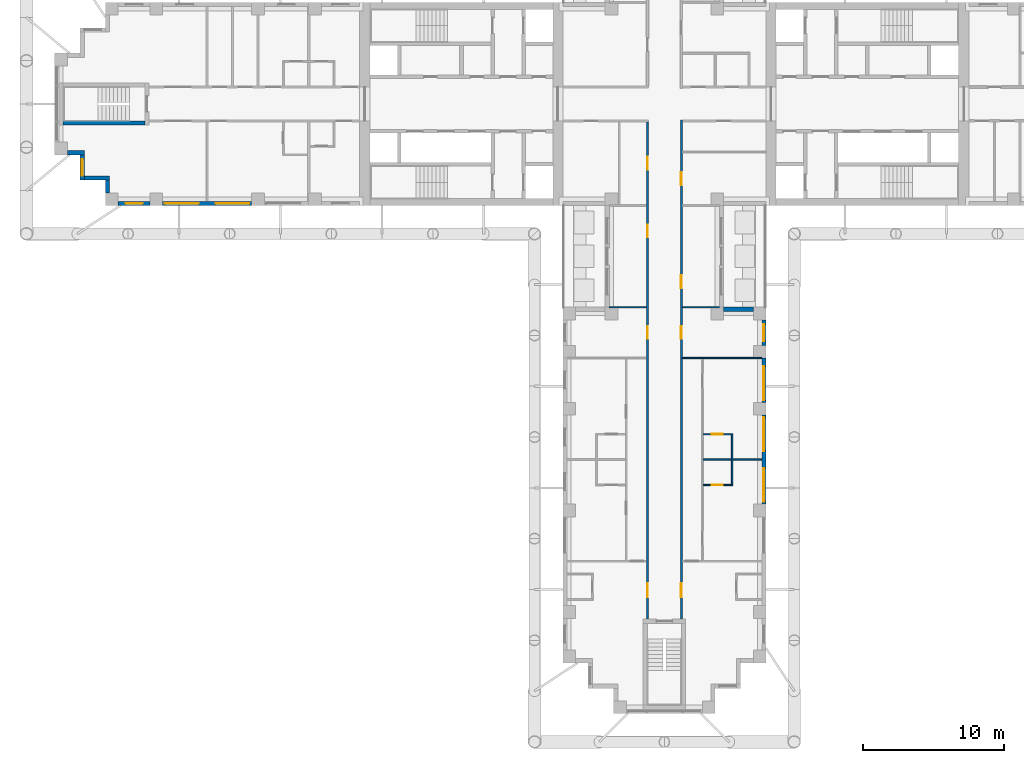
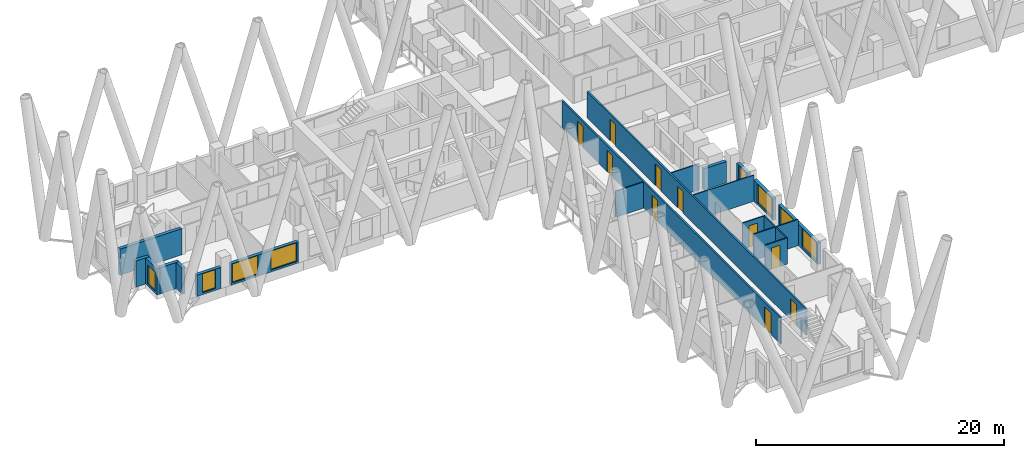
# One storey, part 5 of 16: 20 walls, 10 doors, 8 windows, 18 openings.
"""IFC4 building model written with IfcOpenShell, lengths in metres."""

from ifc_helpers import new_model, si_unit, direction, frame, frame_2d, origin, place, context, subcontext, project, spatial, rectangle, extrude, material, layer, layer_set, type_object, element, fill, save


model = new_model("IFC4")

# Units and contexts
model_context = context("Model", 3, precision=1e-05, world=origin(), true_north=direction((0.0, 1.0)))
body_context = subcontext(model_context, "Body", "Model", "MODEL_VIEW")
ifc_project = project(units=[si_unit("LENGTHUNIT", "METRE"), si_unit("AREAUNIT", "SQUARE_METRE"), si_unit("VOLUMEUNIT", "CUBIC_METRE"), si_unit("PLANEANGLEUNIT", "RADIAN"), si_unit("MASSUNIT", "GRAM", prefix="KILO")], contexts=[model_context])

# Site, building, storey
site_placement = place(None, origin())
site = spatial("IfcSite", under=ifc_project, at=site_placement, CompositionType="ELEMENT")
building_placement = place(site_placement, origin())
building = spatial("IfcBuilding", under=site, at=building_placement, Name="Fustian Cross Tower", CompositionType="ELEMENT")
storey_placement = place(building_placement, frame((0.0, 0.0, 44.699951171875)))
storey = spatial("IfcBuildingStorey", under=building, at=storey_placement, Name="L13", CompositionType="ELEMENT", Elevation=44.699951171875)

# Wall, openings, doors
ifc_material_1 = material(Name="Plasterboard on steel stud", Category="steel")
ifc_layer_1 = layer(ifc_material_1, 0.14990234375)
ifc_layer_set_1 = layer_set([ifc_layer_1], Name="Plasterboard on steel stud")
wall_type_1 = type_object("IfcWallType", Name="COMPARTMENT WALL 150 EI 60", PredefinedType="PARTITIONING", material=ifc_layer_set_1)
wall_1_placement = place(storey_placement, frame((-1.199951171875, -36.5, 0.0), z_axis=(0.0, 0.0, 1.0), x_axis=(0.0, 1.0, 0.0)))
wall_1 = element("IfcWall", 1, at=wall_1_placement, inside=storey, type_object=wall_type_1, Name="Partition 42", PredefinedType="PARTITIONING", context=body_context, shape_type="SweptSolid", body=[
    extrude(rectangle(XDim=35.22509765625, YDim=0.14990234375, at=frame_2d((17.612548828125, 0.0))), origin(), (0.0, 0.0, 1.0), 2.574951171875),
])
opening_1_placement = place(wall_1_placement, frame((31.85009765625, 0.0, 0.0)))
opening_1 = element("IfcOpeningElement", 2, at=opening_1_placement, cuts=wall_1, Name="Opening D08007", PredefinedType="OPENING", context=body_context, shape_type="SweptSolid", body=[
    extrude(rectangle(XDim=0.89990234375, YDim=2.10009765625, at=frame_2d((0.449951171875, 1.050048828125))), frame((0.0, 0.0849609375, 0.0), z_axis=(0.0, -1.0, 0.0), x_axis=(1.0, 0.0, 0.0)), (0.0, 0.0, 1.0), 0.169921875),
])
opening_2_placement = place(wall_1_placement, frame((27.050048828125, 0.0, 0.0)))
opening_2 = element("IfcOpeningElement", 3, at=opening_2_placement, cuts=wall_1, Name="Opening D08057", PredefinedType="OPENING", context=body_context, shape_type="SweptSolid", body=[
    extrude(rectangle(XDim=0.89990234375, YDim=2.10009765625, at=frame_2d((0.449951171875, 1.050048828125))), frame((0.0, 0.0849609375, 0.0), z_axis=(0.0, -1.0, 0.0), x_axis=(1.0, 0.0, 0.0)), (0.0, 0.0, 1.0), 0.169921875),
])
opening_3_placement = place(wall_1_placement, frame((19.85009765625, 0.0, 0.0)))
opening_3 = element("IfcOpeningElement", 4, at=opening_3_placement, cuts=wall_1, Name="Opening D08058", PredefinedType="OPENING", context=body_context, shape_type="SweptSolid", body=[
    extrude(rectangle(XDim=0.89990234375, YDim=2.10009765625, at=frame_2d((0.449951171875, 1.050048828125))), frame((0.0, 0.0849609375, 0.0), z_axis=(0.0, -1.0, 0.0), x_axis=(1.0, 0.0, 0.0)), (0.0, 0.0, 1.0), 0.169921875),
])
opening_4_placement = place(wall_1_placement, frame((1.550048828125, 0.0, 0.0)))
opening_4 = element("IfcOpeningElement", 5, at=opening_4_placement, cuts=wall_1, Name="Opening D08060", PredefinedType="OPENING", context=body_context, shape_type="SweptSolid", body=[
    extrude(rectangle(XDim=1.0, YDim=2.10009765625, at=frame_2d((0.5, 1.050048828125))), frame((0.0, 0.0849609375, 0.0), z_axis=(0.0, -1.0, 0.0), x_axis=(1.0, 0.0, 0.0)), (0.0, 0.0, 1.0), 0.169921875),
])
ifc_material_2 = material(Name="Timber fire door set", Category="wood")
door_type_1 = type_object("IfcDoorType", Name="FIRE SWING DOOR 1000 FD30S", OperationType="SINGLE_SWING_LEFT", PredefinedType="DOOR", material=ifc_material_2)
door_1_placement = place(opening_4_placement, origin())
door_1 = element("IfcDoor", 6, at=door_1_placement, inside=storey, type_object=door_type_1, Name="Door D08060", OperationType="SINGLE_SWING_RIGHT", OverallHeight=2.10009765625, OverallWidth=1.0, PredefinedType="DOOR", context=body_context, shape_type="SweptSolid", body=[
    extrude(rectangle(XDim=1.0, YDim=2.10009765625, at=frame_2d((0.5, 1.050048828125))), frame((0.0, 0.02490234375, 0.0), z_axis=(0.0, -1.0, 0.0), x_axis=(1.0, 0.0, 0.0)), (0.0, 0.0, 1.0), 0.050048828125),
])
fill(opening_4, door_1)
ifc_material_3 = material(Name="Timber fire door set", Category="wood")
door_type_2 = type_object("IfcDoorType", Name="FIRE SWING DOOR 900 FD30S", OperationType="SINGLE_SWING_LEFT", PredefinedType="DOOR", material=ifc_material_3)
door_2_placement = place(opening_1_placement, origin())
door_2 = element("IfcDoor", 7, at=door_2_placement, inside=storey, type_object=door_type_2, Name="Door D08007", OperationType="SINGLE_SWING_LEFT", OverallHeight=2.10009765625, OverallWidth=0.89990234375, PredefinedType="DOOR", context=body_context, shape_type="SweptSolid", body=[
    extrude(rectangle(XDim=0.89990234375, YDim=2.10009765625, at=frame_2d((0.449951171875, 1.050048828125))), frame((0.0, 0.02490234375, 0.0), z_axis=(0.0, -1.0, 0.0), x_axis=(1.0, 0.0, 0.0)), (0.0, 0.0, 1.0), 0.050048828125),
])
fill(opening_1, door_2)
door_3_placement = place(opening_2_placement, origin())
door_3 = element("IfcDoor", 8, at=door_3_placement, inside=storey, type_object=door_type_2, Name="Door D08057", OperationType="SINGLE_SWING_RIGHT", OverallHeight=2.10009765625, OverallWidth=0.89990234375, PredefinedType="DOOR", context=body_context, shape_type="SweptSolid", body=[
    extrude(rectangle(XDim=0.89990234375, YDim=2.10009765625, at=frame_2d((0.449951171875, 1.050048828125))), frame((0.0, 0.02490234375, 0.0), z_axis=(0.0, -1.0, 0.0), x_axis=(1.0, 0.0, 0.0)), (0.0, 0.0, 1.0), 0.050048828125),
])
fill(opening_2, door_3)
door_4_placement = place(opening_3_placement, origin())
door_4 = element("IfcDoor", 9, at=door_4_placement, inside=storey, type_object=door_type_2, Name="Door D08058", OperationType="SINGLE_SWING_LEFT", OverallHeight=2.10009765625, OverallWidth=0.89990234375, PredefinedType="DOOR", context=body_context, shape_type="SweptSolid", body=[
    extrude(rectangle(XDim=0.89990234375, YDim=2.10009765625, at=frame_2d((0.449951171875, 1.050048828125))), frame((0.0, 0.02490234375, 0.0), z_axis=(0.0, -1.0, 0.0), x_axis=(1.0, 0.0, 0.0)), (0.0, 0.0, 1.0), 0.050048828125),
])
fill(opening_3, door_4)

wall_2_placement = place(storey_placement, frame((1.199951171875, -36.5, 0.0), z_axis=(0.0, 0.0, 1.0), x_axis=(0.0, 1.0, 0.0)))
wall_2 = element("IfcWall", 10, at=wall_2_placement, inside=storey, type_object=wall_type_1, Name="Partition 44", PredefinedType="PARTITIONING", context=body_context, shape_type="SweptSolid", body=[
    extrude(rectangle(XDim=35.375, YDim=0.14990234375, at=frame_2d((17.6875, 0.0))), origin(), (0.0, 0.0, 1.0), 2.574951171875),
])
opening_5_placement = place(wall_2_placement, frame((30.75, 0.0, 0.0)))
opening_5 = element("IfcOpeningElement", 11, at=opening_5_placement, cuts=wall_2, Name="Opening D08006", PredefinedType="OPENING", context=body_context, shape_type="SweptSolid", body=[
    extrude(rectangle(XDim=0.89990234375, YDim=2.10009765625, at=frame_2d((0.449951171875, 1.050048828125))), frame((0.0, 0.0849609375, 0.0), z_axis=(0.0, -1.0, 0.0), x_axis=(1.0, 0.0, 0.0)), (0.0, 0.0, 1.0), 0.169921875),
])
opening_6_placement = place(wall_2_placement, frame((23.449951171875, 0.0, 0.0)))
opening_6 = element("IfcOpeningElement", 12, at=opening_6_placement, cuts=wall_2, Name="Opening D08048", PredefinedType="OPENING", context=body_context, shape_type="SweptSolid", body=[
    extrude(rectangle(XDim=0.89990234375, YDim=2.10009765625, at=frame_2d((0.449951171875, 1.050048828125))), frame((0.0, 0.0849609375, 0.0), z_axis=(0.0, -1.0, 0.0), x_axis=(1.0, 0.0, 0.0)), (0.0, 0.0, 1.0), 0.169921875),
])
opening_7_placement = place(wall_2_placement, frame((19.85009765625, 0.0, 0.0)))
opening_7 = element("IfcOpeningElement", 13, at=opening_7_placement, cuts=wall_2, Name="Opening D08049", PredefinedType="OPENING", context=body_context, shape_type="SweptSolid", body=[
    extrude(rectangle(XDim=0.89990234375, YDim=2.10009765625, at=frame_2d((0.449951171875, 1.050048828125))), frame((0.0, 0.0849609375, 0.0), z_axis=(0.0, -1.0, 0.0), x_axis=(1.0, 0.0, 0.0)), (0.0, 0.0, 1.0), 0.169921875),
])
opening_8_placement = place(wall_2_placement, frame((1.550048828125, 0.0, 0.0)))
opening_8 = element("IfcOpeningElement", 14, at=opening_8_placement, cuts=wall_2, Name="Opening D08051", PredefinedType="OPENING", context=body_context, shape_type="SweptSolid", body=[
    extrude(rectangle(XDim=1.0, YDim=2.10009765625, at=frame_2d((0.5, 1.050048828125))), frame((0.0, 0.0849609375, 0.0), z_axis=(0.0, -1.0, 0.0), x_axis=(1.0, 0.0, 0.0)), (0.0, 0.0, 1.0), 0.169921875),
])
door_5_placement = place(opening_8_placement, frame((1.0, 0.0, 0.0), z_axis=(0.0, 0.0, 1.0), x_axis=(-1.0, 0.0, 0.0)))
door_5 = element("IfcDoor", 15, at=door_5_placement, inside=storey, type_object=door_type_1, Name="Door D08051", OperationType="SINGLE_SWING_LEFT", OverallHeight=2.10009765625, OverallWidth=1.0, PredefinedType="DOOR", context=body_context, shape_type="SweptSolid", body=[
    extrude(rectangle(XDim=1.0, YDim=2.10009765625, at=frame_2d((0.5, 1.050048828125))), frame((0.0, 0.02490234375, 0.0), z_axis=(0.0, -1.0, 0.0), x_axis=(1.0, 0.0, 0.0)), (0.0, 0.0, 1.0), 0.050048828125),
])
fill(opening_8, door_5)
door_6_placement = place(opening_5_placement, frame((0.89990234375, 0.0, 0.0), z_axis=(0.0, 0.0, 1.0), x_axis=(-1.0, 0.0, 0.0)))
door_6 = element("IfcDoor", 16, at=door_6_placement, inside=storey, type_object=door_type_2, Name="Door D08006", OperationType="SINGLE_SWING_LEFT", OverallHeight=2.10009765625, OverallWidth=0.89990234375, PredefinedType="DOOR", context=body_context, shape_type="SweptSolid", body=[
    extrude(rectangle(XDim=0.89990234375, YDim=2.10009765625, at=frame_2d((0.449951171875, 1.050048828125))), frame((0.0, 0.02490234375, 0.0), z_axis=(0.0, -1.0, 0.0), x_axis=(1.0, 0.0, 0.0)), (0.0, 0.0, 1.0), 0.050048828125),
])
fill(opening_5, door_6)
door_7_placement = place(opening_6_placement, frame((0.89990234375, 0.0, 0.0), z_axis=(0.0, 0.0, 1.0), x_axis=(-1.0, 0.0, 0.0)))
door_7 = element("IfcDoor", 17, at=door_7_placement, inside=storey, type_object=door_type_2, Name="Door D08048", OperationType="SINGLE_SWING_RIGHT", OverallHeight=2.10009765625, OverallWidth=0.89990234375, PredefinedType="DOOR", context=body_context, shape_type="SweptSolid", body=[
    extrude(rectangle(XDim=0.89990234375, YDim=2.10009765625, at=frame_2d((0.449951171875, 1.050048828125))), frame((0.0, 0.02490234375, 0.0), z_axis=(0.0, -1.0, 0.0), x_axis=(1.0, 0.0, 0.0)), (0.0, 0.0, 1.0), 0.050048828125),
])
fill(opening_6, door_7)
door_8_placement = place(opening_7_placement, frame((0.89990234375, 0.0, 0.0), z_axis=(0.0, 0.0, 1.0), x_axis=(-1.0, 0.0, 0.0)))
door_8 = element("IfcDoor", 18, at=door_8_placement, inside=storey, type_object=door_type_2, Name="Door D08049", OperationType="SINGLE_SWING_RIGHT", OverallHeight=2.10009765625, OverallWidth=0.89990234375, PredefinedType="DOOR", context=body_context, shape_type="SweptSolid", body=[
    extrude(rectangle(XDim=0.89990234375, YDim=2.10009765625, at=frame_2d((0.449951171875, 1.050048828125))), frame((0.0, 0.02490234375, 0.0), z_axis=(0.0, -1.0, 0.0), x_axis=(1.0, 0.0, 0.0)), (0.0, 0.0, 1.0), 0.050048828125),
])
fill(opening_7, door_8)

# Walls
ifc_material_4 = material(Name="Plasterboard on steel stud", Category="steel")
ifc_layer_2 = layer(ifc_material_4, 0.10009765625)
ifc_layer_set_2 = layer_set([ifc_layer_2], Name="Plasterboard on steel stud")
wall_type_2 = type_object("IfcWallType", Name="PARTITION 100 STUD", PredefinedType="PARTITIONING", material=ifc_layer_set_2)
wall_3_placement = place(storey_placement, frame((-3.89990234375, -14.39990234375, 0.0), z_axis=(0.0, 0.0, 1.0), x_axis=(1.0, 0.0, 0.0)))
element("IfcWall", 19, at=wall_3_placement, inside=storey, type_object=wall_type_2, Name="Partition 30", PredefinedType="PARTITIONING", context=body_context, shape_type="SweptSolid", body=[
    extrude(rectangle(XDim=2.625, YDim=0.10009765625, at=frame_2d((1.3125, 0.0))), origin(), (0.0, 0.0, 1.0), 2.574951171875),
])
wall_4_placement = place(storey_placement, frame((1.27490234375, -18.0, 0.0), z_axis=(0.0, 0.0, 1.0), x_axis=(1.0, 0.0, 0.0)))
element("IfcWall", 20, at=wall_4_placement, inside=storey, type_object=wall_type_2, Name="Partition 46", PredefinedType="PARTITIONING", context=body_context, shape_type="SweptSolid", body=[
    extrude(rectangle(XDim=5.625, YDim=0.10009765625, at=frame_2d((2.8125, 0.0))), origin(), (0.0, 0.0, 1.0), 2.574951171875),
])
wall_5_placement = place(storey_placement, frame((1.27490234375, -14.39990234375, 0.0), z_axis=(0.0, 0.0, 1.0), x_axis=(1.0, 0.0, 0.0)))
element("IfcWall", 21, at=wall_5_placement, inside=storey, type_object=wall_type_2, Name="Partition 47", PredefinedType="PARTITIONING", context=body_context, shape_type="SweptSolid", body=[
    extrude(rectangle(XDim=2.625, YDim=0.10009765625, at=frame_2d((1.3125, 0.0))), origin(), (0.0, 0.0, 1.0), 2.574951171875),
])

# Wall, opening, door
wall_6_placement = place(storey_placement, frame((2.75, -27.0, 0.0), z_axis=(0.0, 0.0, 1.0), x_axis=(1.0, 0.0, 0.0)))
wall_6 = element("IfcWall", 22, at=wall_6_placement, inside=storey, type_object=wall_type_2, Name="Partition 60", PredefinedType="PARTITIONING", context=body_context, shape_type="SweptSolid", body=[
    extrude(rectangle(XDim=2.10009765625, YDim=0.10009765625, at=frame_2d((1.050048828125, 0.0))), origin(), (0.0, 0.0, 1.0), 2.574951171875),
])
opening_9_placement = place(wall_6_placement, frame((0.60009765625, 0.0, 0.0)))
opening_9 = element("IfcOpeningElement", 23, at=opening_9_placement, cuts=wall_6, Name="Opening D08056", PredefinedType="OPENING", context=body_context, shape_type="SweptSolid", body=[
    extrude(rectangle(XDim=0.800048828125, YDim=2.10009765625, at=frame_2d((0.39990234375, 1.050048828125))), frame((0.0, 0.06005859375, 0.0), z_axis=(0.0, -1.0, 0.0), x_axis=(1.0, 0.0, 0.0)), (0.0, 0.0, 1.0), 0.1201171875),
])
ifc_material_5 = material(Name="Painted timber", Category="wood")
door_type_3 = type_object("IfcDoorType", Name="SWING DOOR 800", OperationType="SINGLE_SWING_LEFT", PredefinedType="DOOR", material=ifc_material_5)
door_9_placement = place(opening_9_placement, origin())
door_9 = element("IfcDoor", 24, at=door_9_placement, inside=storey, type_object=door_type_3, Name="Door D08056", OperationType="SINGLE_SWING_LEFT", OverallHeight=2.10009765625, OverallWidth=0.800048828125, PredefinedType="DOOR", context=body_context, shape_type="SweptSolid", body=[
    extrude(rectangle(XDim=0.800048828125, YDim=2.10009765625, at=frame_2d((0.39990234375, 1.050048828125))), frame((0.0, 0.02490234375, 0.0), z_axis=(0.0, -1.0, 0.0), x_axis=(1.0, 0.0, 0.0)), (0.0, 0.0, 1.0), 0.050048828125),
])
fill(opening_9, door_9)

# Wall
wall_7_placement = place(storey_placement, frame((2.75, -25.199951171875, 0.0), z_axis=(0.0, 0.0, 1.0), x_axis=(1.0, 0.0, 0.0)))
element("IfcWall", 25, at=wall_7_placement, inside=storey, type_object=wall_type_2, Name="Partition 61", PredefinedType="PARTITIONING", context=body_context, shape_type="SweptSolid", body=[
    extrude(rectangle(XDim=4.14990234375, YDim=0.10009765625, at=frame_2d((2.074951171875, 0.0))), origin(), (0.0, 0.0, 1.0), 2.574951171875),
])

# Wall, opening, door
wall_8_placement = place(storey_placement, frame((2.75, -23.39990234375, 0.0), z_axis=(0.0, 0.0, 1.0), x_axis=(1.0, 0.0, 0.0)))
wall_8 = element("IfcWall", 26, at=wall_8_placement, inside=storey, type_object=wall_type_2, Name="Partition 62", PredefinedType="PARTITIONING", context=body_context, shape_type="SweptSolid", body=[
    extrude(rectangle(XDim=2.10009765625, YDim=0.10009765625, at=frame_2d((1.050048828125, 0.0))), origin(), (0.0, 0.0, 1.0), 2.574951171875),
])
opening_10_placement = place(wall_8_placement, frame((0.60009765625, 0.0, 0.0)))
opening_10 = element("IfcOpeningElement", 27, at=opening_10_placement, cuts=wall_8, Name="Opening D08055", PredefinedType="OPENING", context=body_context, shape_type="SweptSolid", body=[
    extrude(rectangle(XDim=0.800048828125, YDim=2.10009765625, at=frame_2d((0.39990234375, 1.050048828125))), frame((0.0, 0.06005859375, 0.0), z_axis=(0.0, -1.0, 0.0), x_axis=(1.0, 0.0, 0.0)), (0.0, 0.0, 1.0), 0.1201171875),
])
door_10_placement = place(opening_10_placement, frame((0.800048828125, 0.0, 0.0), z_axis=(0.0, 0.0, 1.0), x_axis=(-1.0, 0.0, 0.0)))
door_10 = element("IfcDoor", 28, at=door_10_placement, inside=storey, type_object=door_type_3, Name="Door D08055", OperationType="SINGLE_SWING_RIGHT", OverallHeight=2.10009765625, OverallWidth=0.800048828125, PredefinedType="DOOR", context=body_context, shape_type="SweptSolid", body=[
    extrude(rectangle(XDim=0.800048828125, YDim=2.10009765625, at=frame_2d((0.39990234375, 1.050048828125))), frame((0.0, 0.02490234375, 0.0), z_axis=(0.0, -1.0, 0.0), x_axis=(1.0, 0.0, 0.0)), (0.0, 0.0, 1.0), 0.050048828125),
])
fill(opening_10, door_10)

# Walls
wall_9_placement = place(storey_placement, frame((4.800048828125, -26.949951171875, 0.0), z_axis=(0.0, 0.0, 1.0), x_axis=(0.0, 1.0, 0.0)))
element("IfcWall", 29, at=wall_9_placement, inside=storey, type_object=wall_type_2, Name="Partition 68", PredefinedType="PARTITIONING", context=body_context, shape_type="SweptSolid", body=[
    extrude(rectangle(XDim=3.5, YDim=0.10009765625, at=frame_2d((1.75, 0.0))), origin(), (0.0, 0.0, 1.0), 2.574951171875),
])
ifc_material_6 = material(Name="Concrete C50/60", Category="concrete")
ifc_layer_3 = layer(ifc_material_6, 0.300048828125)
ifc_layer_set_3 = layer_set([ifc_layer_3], Name="Concrete C50/60")
wall_type_3 = type_object("IfcWallType", Name="STAIR ENCLOSURE WALL 300 C50/60", PredefinedType="SHEAR", material=ifc_layer_set_3)
wall_10_placement = place(storey_placement, frame((-36.800048828125, -1.35009765625, 0.0), z_axis=(0.0, 0.0, 1.0), x_axis=(-1.0, 0.0, 0.0)))
element("IfcWall", 30, at=wall_10_placement, inside=storey, type_object=wall_type_3, Name="Stair enclosure wall", PredefinedType="SHEAR", context=body_context, shape_type="SweptSolid", body=[
    extrude(rectangle(XDim=5.800048828125, YDim=0.300048828125, at=frame_2d((2.89990234375, 0.0))), origin(), (0.0, 0.0, 1.0), 2.574951171875),
])
ifc_material_7 = material(Name="Dark aluminium cladding on insulated backing wall", Category="aluminium")
ifc_layer_4 = layer(ifc_material_7, 0.300048828125)
ifc_layer_set_4 = layer_set([ifc_layer_4], Name="Dark aluminium cladding on insulated backing wall")
wall_type_4 = type_object("IfcWallType", Name="XW1 EXTERNAL WALL 300", PredefinedType="SOLIDWALL", material=ifc_layer_set_4)
wall_11_placement = place(storey_placement, frame((-42.300048828125, -3.449951171875, 0.0), z_axis=(0.0, 0.0, 1.0), x_axis=(1.0, 0.0, 0.0)))
element("IfcWall", 31, at=wall_11_placement, inside=storey, type_object=wall_type_4, Name="External wall", PredefinedType="SOLIDWALL", context=body_context, shape_type="SweptSolid", body=[
    extrude(rectangle(XDim=1.199951171875, YDim=0.300048828125, at=frame_2d((0.60009765625, 0.0))), origin(), (0.0, 0.0, 1.0), 2.574951171875),
])

# Wall, opening, window
wall_12_placement = place(storey_placement, frame((-41.25, -3.60009765625, 0.0), z_axis=(0.0, 0.0, 1.0), x_axis=(0.0, -1.0, 0.0)))
wall_12 = element("IfcWall", 32, at=wall_12_placement, inside=storey, type_object=wall_type_4, Name="External wall", PredefinedType="SOLIDWALL", context=body_context, shape_type="SweptSolid", body=[
    extrude(rectangle(XDim=1.7998046875, YDim=0.300048828125, at=frame_2d((0.89990234375, 0.0))), origin(), (0.0, 0.0, 1.0), 2.574951171875),
])
opening_11_placement = place(wall_12_placement, frame((0.300048828125, 0.0, 0.199951171875)))
opening_11 = element("IfcOpeningElement", 33, at=opening_11_placement, cuts=wall_12, Name="Opening WN3", PredefinedType="OPENING", context=body_context, shape_type="SweptSolid", body=[
    extrude(rectangle(XDim=1.199951171875, YDim=1.85009765625, at=frame_2d((0.60009765625, 0.925048828125))), frame((0.0, 0.159912109375, 0.0), z_axis=(0.0, -1.0, 0.0), x_axis=(1.0, 0.0, 0.0)), (0.0, 0.0, 1.0), 0.320068359375),
])
ifc_material_8 = material(Name="Dark anodised aluminium and double glazing", Category="aluminium")
window_type_1 = type_object("IfcWindowType", Name="WN3 WINDOW 1200X1850", PartitioningType="SINGLE_PANEL", PredefinedType="WINDOW", material=ifc_material_8)
window_1_placement = place(opening_11_placement, origin())
window_1 = element("IfcWindow", 34, at=window_1_placement, inside=storey, type_object=window_type_1, Name="Window", OverallHeight=1.85009765625, OverallWidth=1.199951171875, PartitioningType="SINGLE_PANEL", PredefinedType="WINDOW", context=body_context, shape_type="SweptSolid", body=[
    extrude(rectangle(XDim=1.199951171875, YDim=1.85009765625, at=frame_2d((0.60009765625, 0.925048828125))), frame((0.0, 0.030029296875, 0.0), z_axis=(0.0, -1.0, 0.0), x_axis=(1.0, 0.0, 0.0)), (0.0, 0.0, 1.0), 0.06005859375),
])
fill(opening_11, window_1)

# Walls
wall_13_placement = place(storey_placement, frame((-41.10009765625, -5.25, 0.0), z_axis=(0.0, 0.0, 1.0), x_axis=(1.0, 0.0, 0.0)))
element("IfcWall", 35, at=wall_13_placement, inside=storey, type_object=wall_type_4, Name="External wall", PredefinedType="SOLIDWALL", context=body_context, shape_type="SweptSolid", body=[
    extrude(rectangle(XDim=1.800048828125, YDim=0.300048828125, at=frame_2d((0.89990234375, 0.0))), origin(), (0.0, 0.0, 1.0), 2.574951171875),
])
wall_14_placement = place(storey_placement, frame((-39.449951171875, -5.39990234375, 0.0), z_axis=(0.0, 0.0, 1.0), x_axis=(0.0, -1.0, 0.0)))
element("IfcWall", 36, at=wall_14_placement, inside=storey, type_object=wall_type_4, Name="External wall", PredefinedType="SOLIDWALL", context=body_context, shape_type="SweptSolid", body=[
    extrude(rectangle(XDim=0.900146484375, YDim=0.300048828125, at=frame_2d((0.4501953125, 0.0))), origin(), (0.0, 0.0, 1.0), 2.574951171875),
])

# Wall, opening, window
wall_15_placement = place(storey_placement, frame((-38.699951171875, -7.050048828125, 0.0), z_axis=(0.0, 0.0, 1.0), x_axis=(1.0, 0.0, 0.0)))
wall_15 = element("IfcWall", 37, at=wall_15_placement, inside=storey, type_object=wall_type_4, Name="External wall", PredefinedType="SOLIDWALL", context=body_context, shape_type="SweptSolid", body=[
    extrude(rectangle(XDim=2.25, YDim=0.300048828125, at=frame_2d((1.125, 0.0))), origin(), (0.0, 0.0, 1.0), 2.10009765625),
])
opening_12_placement = place(wall_15_placement, frame((0.52490234375, 0.0, 0.199951171875)))
opening_12 = element("IfcOpeningElement", 38, at=opening_12_placement, cuts=wall_15, Name="Opening WN3", PredefinedType="OPENING", context=body_context, shape_type="SweptSolid", body=[
    extrude(rectangle(XDim=1.199951171875, YDim=1.85009765625, at=frame_2d((0.60009765625, 0.925048828125))), frame((0.0, 0.159912109375, 0.0), z_axis=(0.0, -1.0, 0.0), x_axis=(1.0, 0.0, 0.0)), (0.0, 0.0, 1.0), 0.320068359375),
])
window_2_placement = place(opening_12_placement, origin())
window_2 = element("IfcWindow", 39, at=window_2_placement, inside=storey, type_object=window_type_1, Name="Window", OverallHeight=1.85009765625, OverallWidth=1.199951171875, PartitioningType="SINGLE_PANEL", PredefinedType="WINDOW", context=body_context, shape_type="SweptSolid", body=[
    extrude(rectangle(XDim=1.199951171875, YDim=1.85009765625, at=frame_2d((0.60009765625, 0.925048828125))), frame((0.0, 0.030029296875, 0.0), z_axis=(0.0, -1.0, 0.0), x_axis=(1.0, 0.0, 0.0)), (0.0, 0.0, 1.0), 0.06005859375),
])
fill(opening_12, window_2)

# Wall, openings, windows
wall_16_placement = place(storey_placement, frame((-35.550048828125, -7.050048828125, 0.0), z_axis=(0.0, 0.0, 1.0), x_axis=(1.0, 0.0, 0.0)))
wall_16 = element("IfcWall", 40, at=wall_16_placement, inside=storey, type_object=wall_type_4, Name="External wall", PredefinedType="SOLIDWALL", context=body_context, shape_type="SweptSolid", body=[
    extrude(rectangle(XDim=6.300048828125, YDim=0.300048828125, at=frame_2d((3.14990234375, 0.0))), origin(), (0.0, 0.0, 1.0), 2.10009765625),
])
opening_13_placement = place(wall_16_placement, frame((0.14990234375, 0.0, 0.199951171875)))
opening_13 = element("IfcOpeningElement", 41, at=opening_13_placement, cuts=wall_16, Name="Opening WN1", PredefinedType="OPENING", context=body_context, shape_type="SweptSolid", body=[
    extrude(rectangle(XDim=2.39990234375, YDim=1.85009765625, at=frame_2d((1.199951171875, 0.925048828125))), frame((0.0, 0.159912109375, 0.0), z_axis=(0.0, -1.0, 0.0), x_axis=(1.0, 0.0, 0.0)), (0.0, 0.0, 1.0), 0.320068359375),
])
opening_14_placement = place(wall_16_placement, frame((3.75, 0.0, 0.199951171875)))
opening_14 = element("IfcOpeningElement", 42, at=opening_14_placement, cuts=wall_16, Name="Opening WN1", PredefinedType="OPENING", context=body_context, shape_type="SweptSolid", body=[
    extrude(rectangle(XDim=2.39990234375, YDim=1.85009765625, at=frame_2d((1.199951171875, 0.925048828125))), frame((0.0, 0.159912109375, 0.0), z_axis=(0.0, -1.0, 0.0), x_axis=(1.0, 0.0, 0.0)), (0.0, 0.0, 1.0), 0.320068359375),
])
ifc_material_9 = material(Name="Dark anodised aluminium and double glazing", Category="aluminium")
window_type_2 = type_object("IfcWindowType", Name="WN1 WINDOW 2400X1850", PartitioningType="SINGLE_PANEL", PredefinedType="WINDOW", material=ifc_material_9)
window_3_placement = place(opening_13_placement, origin())
window_3 = element("IfcWindow", 43, at=window_3_placement, inside=storey, type_object=window_type_2, Name="Window", OverallHeight=1.85009765625, OverallWidth=2.39990234375, PartitioningType="SINGLE_PANEL", PredefinedType="WINDOW", context=body_context, shape_type="SweptSolid", body=[
    extrude(rectangle(XDim=2.39990234375, YDim=1.85009765625, at=frame_2d((1.199951171875, 0.925048828125))), frame((0.0, 0.030029296875, 0.0), z_axis=(0.0, -1.0, 0.0), x_axis=(1.0, 0.0, 0.0)), (0.0, 0.0, 1.0), 0.06005859375),
])
fill(opening_13, window_3)
window_4_placement = place(opening_14_placement, origin())
window_4 = element("IfcWindow", 44, at=window_4_placement, inside=storey, type_object=window_type_2, Name="Window", OverallHeight=1.85009765625, OverallWidth=2.39990234375, PartitioningType="SINGLE_PANEL", PredefinedType="WINDOW", context=body_context, shape_type="SweptSolid", body=[
    extrude(rectangle(XDim=2.39990234375, YDim=1.85009765625, at=frame_2d((1.199951171875, 0.925048828125))), frame((0.0, 0.030029296875, 0.0), z_axis=(0.0, -1.0, 0.0), x_axis=(1.0, 0.0, 0.0)), (0.0, 0.0, 1.0), 0.06005859375),
])
fill(opening_14, window_4)

wall_17_placement = place(storey_placement, frame((7.050048828125, -28.35009765625, 0.0), z_axis=(0.0, 0.0, 1.0), x_axis=(0.0, 1.0, 0.0)))
wall_17 = element("IfcWall", 45, at=wall_17_placement, inside=storey, type_object=wall_type_4, Name="External wall", PredefinedType="SOLIDWALL", context=body_context, shape_type="SweptSolid", body=[
    extrude(rectangle(XDim=6.300048828125, YDim=0.300048828125, at=frame_2d((3.14990234375, 0.0))), origin(), (0.0, 0.0, 1.0), 2.10009765625),
])
opening_15_placement = place(wall_17_placement, frame((0.14990234375, 0.0, 0.199951171875)))
opening_15 = element("IfcOpeningElement", 46, at=opening_15_placement, cuts=wall_17, Name="Opening WN1", PredefinedType="OPENING", context=body_context, shape_type="SweptSolid", body=[
    extrude(rectangle(XDim=2.39990234375, YDim=1.85009765625, at=frame_2d((1.199951171875, 0.925048828125))), frame((0.0, 0.159912109375, 0.0), z_axis=(0.0, -1.0, 0.0), x_axis=(1.0, 0.0, 0.0)), (0.0, 0.0, 1.0), 0.320068359375),
])
opening_16_placement = place(wall_17_placement, frame((3.75, 0.0, 0.199951171875)))
opening_16 = element("IfcOpeningElement", 47, at=opening_16_placement, cuts=wall_17, Name="Opening WN1", PredefinedType="OPENING", context=body_context, shape_type="SweptSolid", body=[
    extrude(rectangle(XDim=2.39990234375, YDim=1.85009765625, at=frame_2d((1.199951171875, 0.925048828125))), frame((0.0, 0.159912109375, 0.0), z_axis=(0.0, -1.0, 0.0), x_axis=(1.0, 0.0, 0.0)), (0.0, 0.0, 1.0), 0.320068359375),
])
window_5_placement = place(opening_15_placement, origin())
window_5 = element("IfcWindow", 48, at=window_5_placement, inside=storey, type_object=window_type_2, Name="Window", OverallHeight=1.85009765625, OverallWidth=2.39990234375, PartitioningType="SINGLE_PANEL", PredefinedType="WINDOW", context=body_context, shape_type="SweptSolid", body=[
    extrude(rectangle(XDim=2.39990234375, YDim=1.85009765625, at=frame_2d((1.199951171875, 0.925048828125))), frame((0.0, 0.030029296875, 0.0), z_axis=(0.0, -1.0, 0.0), x_axis=(1.0, 0.0, 0.0)), (0.0, 0.0, 1.0), 0.06005859375),
])
fill(opening_15, window_5)
window_6_placement = place(opening_16_placement, origin())
window_6 = element("IfcWindow", 49, at=window_6_placement, inside=storey, type_object=window_type_2, Name="Window", OverallHeight=1.85009765625, OverallWidth=2.39990234375, PartitioningType="SINGLE_PANEL", PredefinedType="WINDOW", context=body_context, shape_type="SweptSolid", body=[
    extrude(rectangle(XDim=2.39990234375, YDim=1.85009765625, at=frame_2d((1.199951171875, 0.925048828125))), frame((0.0, 0.030029296875, 0.0), z_axis=(0.0, -1.0, 0.0), x_axis=(1.0, 0.0, 0.0)), (0.0, 0.0, 1.0), 0.06005859375),
])
fill(opening_16, window_6)

# Wall, opening, window
wall_18_placement = place(storey_placement, frame((7.050048828125, -21.14990234375, 0.0), z_axis=(0.0, 0.0, 1.0), x_axis=(0.0, 1.0, 0.0)))
wall_18 = element("IfcWall", 50, at=wall_18_placement, inside=storey, type_object=wall_type_4, Name="External wall", PredefinedType="SOLIDWALL", context=body_context, shape_type="SweptSolid", body=[
    extrude(rectangle(XDim=3.14990234375, YDim=0.300048828125, at=frame_2d((1.574951171875, 0.0))), origin(), (0.0, 0.0, 1.0), 2.10009765625),
])
opening_17_placement = place(wall_18_placement, frame((0.14990234375, 0.0, 0.199951171875)))
opening_17 = element("IfcOpeningElement", 51, at=opening_17_placement, cuts=wall_18, Name="Opening WN1", PredefinedType="OPENING", context=body_context, shape_type="SweptSolid", body=[
    extrude(rectangle(XDim=2.39990234375, YDim=1.85009765625, at=frame_2d((1.199951171875, 0.925048828125))), frame((0.0, 0.159912109375, 0.0), z_axis=(0.0, -1.0, 0.0), x_axis=(1.0, 0.0, 0.0)), (0.0, 0.0, 1.0), 0.320068359375),
])
window_7_placement = place(opening_17_placement, origin())
window_7 = element("IfcWindow", 52, at=window_7_placement, inside=storey, type_object=window_type_2, Name="Window", OverallHeight=1.85009765625, OverallWidth=2.39990234375, PartitioningType="SINGLE_PANEL", PredefinedType="WINDOW", context=body_context, shape_type="SweptSolid", body=[
    extrude(rectangle(XDim=2.39990234375, YDim=1.85009765625, at=frame_2d((1.199951171875, 0.925048828125))), frame((0.0, 0.030029296875, 0.0), z_axis=(0.0, -1.0, 0.0), x_axis=(1.0, 0.0, 0.0)), (0.0, 0.0, 1.0), 0.06005859375),
])
fill(opening_17, window_7)

wall_19_placement = place(storey_placement, frame((7.050048828125, -17.10009765625, 0.0), z_axis=(0.0, 0.0, 1.0), x_axis=(0.0, 1.0, 0.0)))
wall_19 = element("IfcWall", 53, at=wall_19_placement, inside=storey, type_object=wall_type_4, Name="External wall", PredefinedType="SOLIDWALL", context=body_context, shape_type="SweptSolid", body=[
    extrude(rectangle(XDim=1.800048828125, YDim=0.300048828125, at=frame_2d((0.89990234375, 0.0))), origin(), (0.0, 0.0, 1.0), 2.10009765625),
])
opening_18_placement = place(wall_19_placement, frame((0.300048828125, 0.0, 0.199951171875)))
opening_18 = element("IfcOpeningElement", 54, at=opening_18_placement, cuts=wall_19, Name="Opening WN3", PredefinedType="OPENING", context=body_context, shape_type="SweptSolid", body=[
    extrude(rectangle(XDim=1.199951171875, YDim=1.85009765625, at=frame_2d((0.60009765625, 0.925048828125))), frame((0.0, 0.159912109375, 0.0), z_axis=(0.0, -1.0, 0.0), x_axis=(1.0, 0.0, 0.0)), (0.0, 0.0, 1.0), 0.320068359375),
])
window_8_placement = place(opening_18_placement, origin())
window_8 = element("IfcWindow", 55, at=window_8_placement, inside=storey, type_object=window_type_1, Name="Window", OverallHeight=1.85009765625, OverallWidth=1.199951171875, PartitioningType="SINGLE_PANEL", PredefinedType="WINDOW", context=body_context, shape_type="SweptSolid", body=[
    extrude(rectangle(XDim=1.199951171875, YDim=1.85009765625, at=frame_2d((0.60009765625, 0.925048828125))), frame((0.0, 0.030029296875, 0.0), z_axis=(0.0, -1.0, 0.0), x_axis=(1.0, 0.0, 0.0)), (0.0, 0.0, 1.0), 0.06005859375),
])
fill(opening_18, window_8)

# Wall
wall_20_placement = place(storey_placement, frame((6.300048828125, -14.550048828125, 0.0), z_axis=(0.0, 0.0, 1.0), x_axis=(-1.0, 0.0, 0.0)))
element("IfcWall", 56, at=wall_20_placement, inside=storey, type_object=wall_type_4, Name="External wall", PredefinedType="SOLIDWALL", context=body_context, shape_type="SweptSolid", body=[
    extrude(rectangle(XDim=2.10009765625, YDim=0.300048828125, at=frame_2d((1.050048828125, 0.0))), origin(), (0.0, 0.0, 1.0), 2.10009765625),
])

save(model, "model.ifc")
